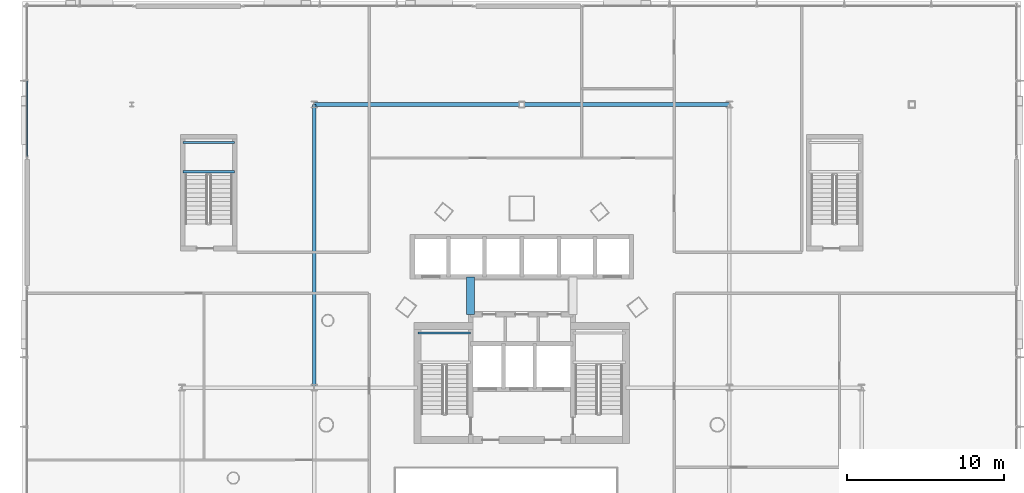
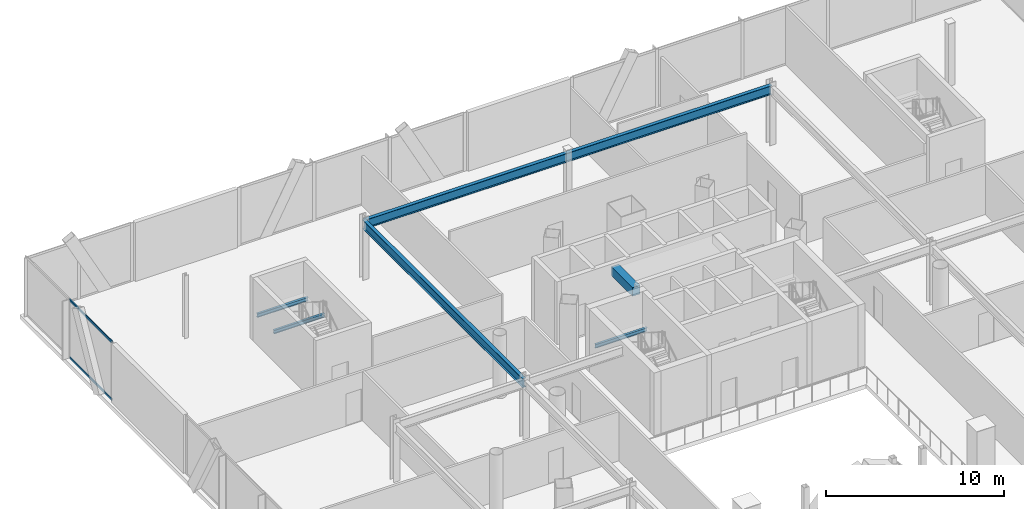
# One storey, part 24 of 42: 6 beams, 2 members, 1 element without a shape of its own.
"""IFC4 building model written with IfcOpenShell, lengths in metres."""

from ifc_helpers import new_model, si_unit, direction, frame, origin, origin_2d, place, context, subcontext, project, spatial, rectangle, hollow_rectangle, i_section, extrude, material, layer, layer_set, material_profile, profile_set, type_object, element, aggregate, save


model = new_model("IFC4")

# Units and contexts
model_context = context("Model", 3, precision=1e-05, world=origin(), true_north=direction((0.0, 1.0)))
body_context = subcontext(model_context, "Body", "Model", "MODEL_VIEW")
ifc_project = project(units=[si_unit("LENGTHUNIT", "METRE"), si_unit("AREAUNIT", "SQUARE_METRE"), si_unit("VOLUMEUNIT", "CUBIC_METRE"), si_unit("PLANEANGLEUNIT", "RADIAN"), si_unit("MASSUNIT", "GRAM", prefix="KILO")], contexts=[model_context])

# Site, building, storey
site_placement = place(None, origin())
site = spatial("IfcSite", under=ifc_project, at=site_placement, CompositionType="ELEMENT")
building_placement = place(site_placement, origin())
building = spatial("IfcBuilding", under=site, at=building_placement, Name="Orvanel Arch Residences", CompositionType="ELEMENT")
storey_placement = place(building_placement, frame((0.0, 0.0, 9.800048828125)))
storey = spatial("IfcBuildingStorey", under=building, at=storey_placement, Name="L02", CompositionType="ELEMENT", Elevation=9.800048828125)

# Beams
ifc_material_1 = material(Name="Structural steel AS/NZS 3679.1 Grade 300 (300 MPa)", Category="steel")
ifc_material_profile_1 = material_profile(ifc_material_1, i_section(OverallWidth=0.22900390625, OverallDepth=0.612060546875, WebThickness=0.011962890625, FlangeThickness=0.01953125, at=origin_2d()), Name="610UB125")
ifc_profile_set_1 = profile_set([ifc_material_profile_1], Name="Structural steel AS/NZS 3679.1 Grade 300 (300 MPa)")
beam_type_1 = type_object("IfcBeamType", Name="BG-610UB", PredefinedType="BEAM", material=ifc_profile_set_1)
beam_1_placement = place(storey_placement, frame((19.800048828125, 48.0, 3.7138671875), z_axis=(1.0, 0.0, 0.0), x_axis=(0.0, 1.0, 0.0)))
element("IfcBeam", 1, at=beam_1_placement, inside=storey, type_object=beam_type_1, Name="L02 BG-610UB beam", PredefinedType="BEAM", context=body_context, shape_type="SweptSolid", body=[
    extrude(i_section(OverallWidth=0.22900390625, OverallDepth=0.612060546875, WebThickness=0.011962890625, FlangeThickness=0.01953125, at=origin_2d()), origin(), (0.0, 0.0, 1.0), 26.39990234375),
])
beam_2_placement = place(storey_placement, frame((19.800048828125, 30.0, 3.7138671875), z_axis=(0.0, 1.0, 0.0), x_axis=(-1.0, 0.0, 0.0)))
element("IfcBeam", 2, at=beam_2_placement, inside=storey, type_object=beam_type_1, Name="L02 North-South Podium Girder XW20-N", PredefinedType="BEAM", context=body_context, shape_type="SweptSolid", body=[
    extrude(i_section(OverallWidth=0.22900390625, OverallDepth=0.612060546875, WebThickness=0.011962890625, FlangeThickness=0.01953125, at=origin_2d()), origin(), (0.0, 0.0, 1.0), 18.0),
])
ifc_material_profile_2 = material_profile(ifc_material_1, i_section(OverallWidth=0.14599609375, OverallDepth=0.251953125, WebThickness=0.006103515625, FlangeThickness=0.008544921875, at=origin_2d()), Name="250UB31.4")
ifc_profile_set_2 = profile_set([ifc_material_profile_2], Name="Structural steel AS/NZS 3679.1 Grade 300 (300 MPa)")
beam_type_2 = type_object("IfcBeamType", Name="BJ-250UB", PredefinedType="JOIST", material=ifc_profile_set_2)
beam_3_placement = place(storey_placement, frame((26.39990234375, 33.47998046875, 1.823974609375), z_axis=(1.0, 0.0, 0.0), x_axis=(0.0, 1.0, 0.0)))
element("IfcBeam", 3, at=beam_3_placement, inside=storey, type_object=beam_type_2, Name="L02 ST-1 Half-Landing Support Beam 1.2", PredefinedType="JOIST", context=body_context, shape_type="SweptSolid", body=[
    extrude(i_section(OverallWidth=0.14599609375, OverallDepth=0.251953125, WebThickness=0.006103515625, FlangeThickness=0.008544921875, at=origin_2d()), origin(), (0.0, 0.0, 1.0), 3.35009765625),
])
for number, where, z_axis, x_axis, name in (
    (4, (11.449951171875, 43.719970703125, 1.823974609375), (1.0, 0.0, 0.0), (0.0, 1.0, 0.0), "L02 ST-3 Half-Landing Support Beam 1.1"),
    (5, (11.449951171875, 45.580078125, 1.823974609375), (1.0, 0.0, 0.0), (0.0, 1.0, 0.0), "L02 ST-3 Half-Landing Support Beam 1.2"),
):
    element("IfcBeam", number, at=place(storey_placement, frame(where, z_axis=z_axis, x_axis=x_axis)), inside=storey, type_object=beam_type_2, Name=name, PredefinedType="JOIST", context=body_context, shape_type="SweptSolid", body=[
        extrude(i_section(OverallWidth=0.14599609375, OverallDepth=0.251953125, WebThickness=0.006103515625, FlangeThickness=0.008544921875, at=origin_2d()), origin(), (0.0, 0.0, 1.0), 3.300048828125),
    ])
ifc_material_2 = material(Name="Concrete S65 (65 MPa)", Category="concrete")
ifc_material_profile_3 = material_profile(ifc_material_2, rectangle(XDim=0.5, YDim=0.60009765625, at=origin_2d()), Name="RC500x600")
ifc_profile_set_3 = profile_set([ifc_material_profile_3], Name="Concrete S65 (65 MPa)")
beam_type_3 = type_object("IfcBeamType", Name="CB-500x600", PredefinedType="LINTEL", material=ifc_profile_set_3)
beam_4_placement = place(storey_placement, frame((29.75, 34.64990234375, 3.719970703125), z_axis=(0.0, 1.0, 0.0), x_axis=(-1.0, 0.0, 0.0)))
element("IfcBeam", 6, at=beam_4_placement, inside=storey, type_object=beam_type_3, Name="L02 West Core Lobby Coupling Lintel Beam", PredefinedType="LINTEL", context=body_context, shape_type="SweptSolid", body=[
    extrude(rectangle(XDim=0.5, YDim=0.60009765625, at=origin_2d()), origin(), (0.0, 0.0, 1.0), 2.400146484375),
])

# Curtain wall, members
ifc_material_3 = material(Name="Bronze-anodised aluminium AA6063-T6", Category="aluminium")
ifc_layer = layer(ifc_material_3, 0.199951171875)
ifc_layer_set = layer_set([ifc_layer], Name="Bronze-anodised aluminium AA6063-T6")
curtain_wall_type = type_object("IfcCurtainWallType", Name="CW1-POD-SYS", PredefinedType="NOTDEFINED", material=ifc_layer_set)
curtain_wall_placement = place(storey_placement, origin())
curtain_wall = element("IfcCurtainWall", 7, at=curtain_wall_placement, inside=storey, type_object=curtain_wall_type, Name="L02 CW1-POD-SYS Unitised Curtain Wall", PredefinedType="NOTDEFINED")
ifc_material_profile_4 = material_profile(ifc_material_3, hollow_rectangle(XDim=0.06494140625, YDim=0.14990234375, WallThickness=0.00390625, at=origin_2d()), Name="ALU150x65x4")
ifc_profile_set_4 = profile_set([ifc_material_profile_4], Name="Bronze-anodised aluminium AA6063-T6")
member_type = type_object("IfcMemberType", Name="TRN-150x65", PredefinedType="USERDEFINED", material=ifc_profile_set_4)
member_1_placement = place(storey_placement, frame((1.550048828125, 49.4775390625, 0.032470703125), z_axis=(0.0, -1.0, 0.0), x_axis=(1.0, 0.0, 0.0)))
member_1 = element("IfcMember", 8, at=member_1_placement, type_object=member_type, Name="CW-S1 transom 2.1", ObjectType="TRANSOM", PredefinedType="USERDEFINED", context=body_context, shape_type="SweptSolid", body=[
    extrude(hollow_rectangle(XDim=0.06494140625, YDim=0.14990234375, WallThickness=0.00390625, at=origin_2d()), origin(), (0.0, 0.0, 1.0), 4.762451171875),
])
member_2_placement = place(storey_placement, frame((1.550048828125, 49.4775390625, 3.987548828125), z_axis=(0.0, -1.0, 0.0), x_axis=(1.0, 0.0, 0.0)))
member_2 = element("IfcMember", 9, at=member_2_placement, type_object=member_type, Name="CW-S1 transom 2.2", ObjectType="TRANSOM", PredefinedType="USERDEFINED", context=body_context, shape_type="SweptSolid", body=[
    extrude(hollow_rectangle(XDim=0.06494140625, YDim=0.14990234375, WallThickness=0.00390625, at=origin_2d()), origin(), (0.0, 0.0, 1.0), 4.762451171875),
])
aggregate(curtain_wall, [member_1, member_2])

save(model, "model.ifc")
